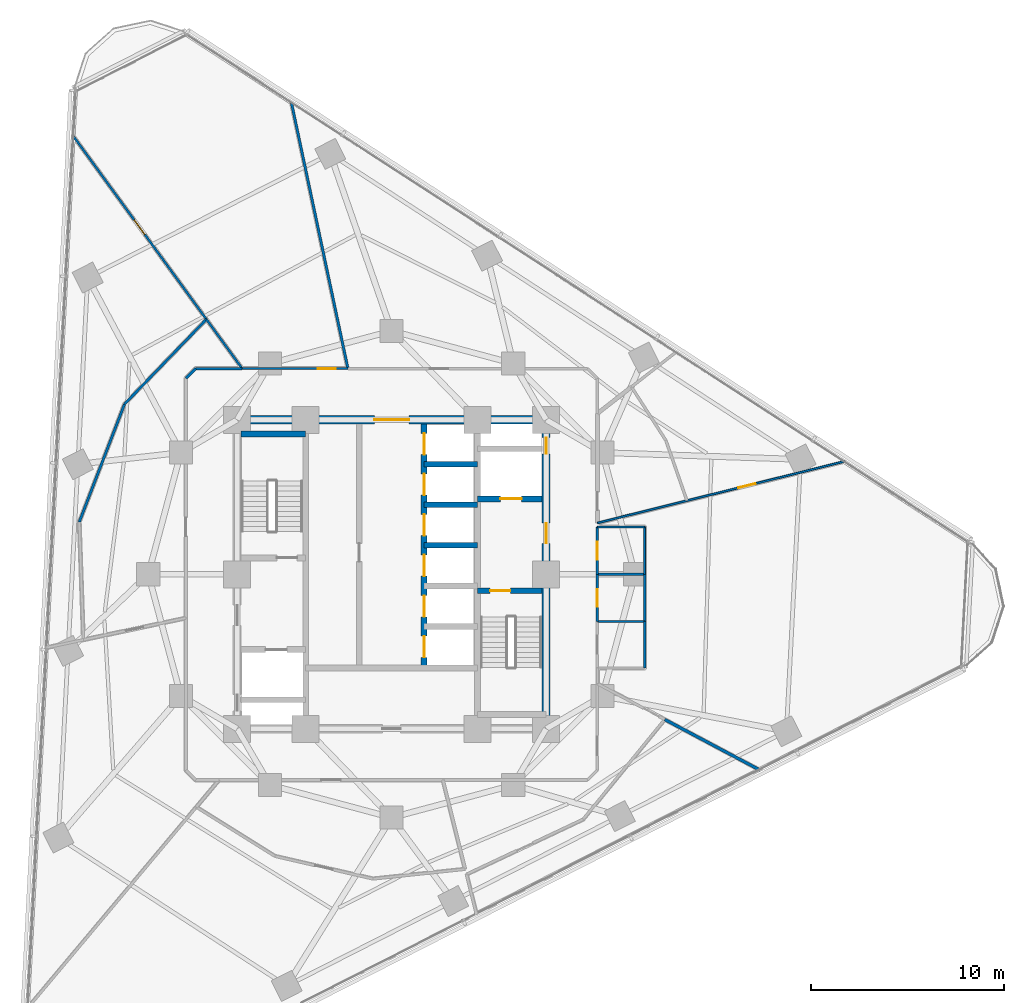
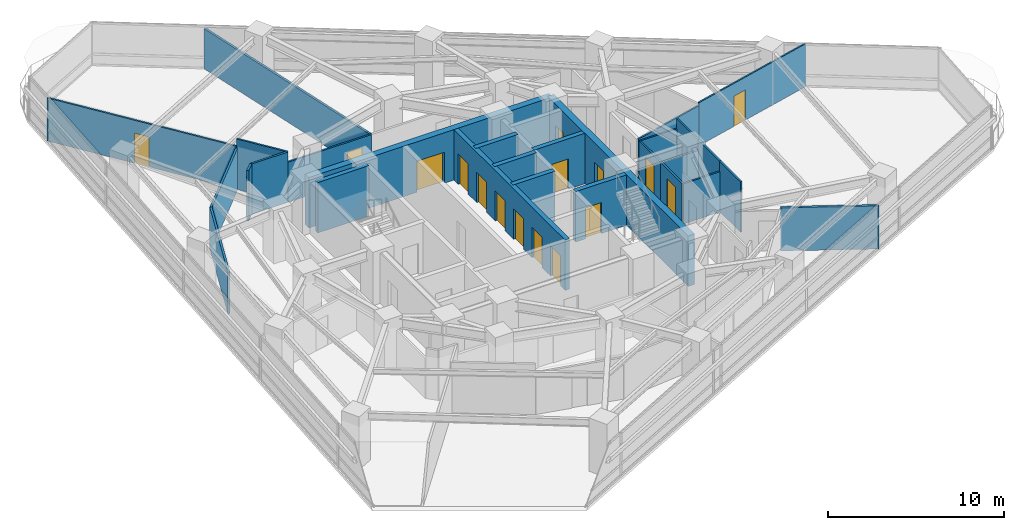
# One storey, part 9 of 14: 28 walls, 16 doors, 16 openings.
"""IFC4 building model written with IfcOpenShell, lengths in metres."""

from ifc_helpers import new_model, si_unit, direction, frame, frame_2d, origin, place, context, subcontext, project, spatial, rectangle, extrude, material, layer, layer_set, type_object, element, fill, save


model = new_model("IFC4")

# Units and contexts
model_context = context("Model", 3, precision=1e-05, world=origin(), true_north=direction((0.0, 1.0)))
body_context = subcontext(model_context, "Body", "Model", "MODEL_VIEW")
ifc_project = project(units=[si_unit("LENGTHUNIT", "METRE"), si_unit("AREAUNIT", "SQUARE_METRE"), si_unit("VOLUMEUNIT", "CUBIC_METRE"), si_unit("PLANEANGLEUNIT", "RADIAN"), si_unit("MASSUNIT", "GRAM", prefix="KILO")], contexts=[model_context])

# Site, building, storey
site_placement = place(None, origin())
site = spatial("IfcSite", under=ifc_project, at=site_placement, CompositionType="ELEMENT")
building_placement = place(site_placement, origin())
building = spatial("IfcBuilding", under=site, at=building_placement, Name="Terralouvre Media Tower", CompositionType="ELEMENT")
storey_placement = place(building_placement, frame((0.0, 0.0, 119.89990234375)))
storey = spatial("IfcBuildingStorey", under=building, at=storey_placement, Name="L30", CompositionType="ELEMENT", Elevation=119.89990234375)

# Wall
ifc_material_1 = material(Name="Concrete C50/60", Category="concrete")
ifc_layer_1 = layer(ifc_material_1, 0.300048828125, Name="Core Internal Shaft Wall CW-300")
ifc_layer_set_1 = layer_set([ifc_layer_1], Name="Concrete C50/60")
wall_type_1 = type_object("IfcWallType", Name="Core Internal Shaft Wall CW-300", PredefinedType="SHEAR", material=ifc_layer_set_1)
wall_1_placement = place(storey_placement, frame((-7.7900390625, 7.260009765625, 0.0), z_axis=(0.0, 0.0, 1.0), x_axis=(1.0, 0.0, 0.0)))
element("IfcWall", 1, at=wall_1_placement, inside=storey, type_object=wall_type_1, Name="L30 Core Shaft Wall ST1F", PredefinedType="SHEAR", context=body_context, shape_type="SweptSolid", body=[
    extrude(rectangle(XDim=3.340087890625, YDim=0.300048828125, at=frame_2d((1.669921875, 0.0))), origin(), (0.0, 0.0, 1.0), 3.5),
])

# Wall, opening, door
wall_2_placement = place(storey_placement, frame((4.449951171875, -0.85009765625, 0.0), z_axis=(0.0, 0.0, 1.0), x_axis=(1.0, 0.0, 0.0)))
wall_2 = element("IfcWall", 2, at=wall_2_placement, inside=storey, type_object=wall_type_1, Name="L30 Core Shaft Wall ST2D", PredefinedType="SHEAR", context=body_context, shape_type="SweptSolid", body=[
    extrude(rectangle(XDim=3.340087890625, YDim=0.300048828125, at=frame_2d((1.669921875, 0.0))), origin(), (0.0, 0.0, 1.0), 3.5),
])
opening_1_placement = place(wall_2_placement, frame((0.64990234375, 0.0, 0.0)))
opening_1 = element("IfcOpeningElement", 3, at=opening_1_placement, cuts=wall_2, Name="Opening FD-01-105X215", PredefinedType="OPENING", context=body_context, shape_type="SweptSolid", body=[
    extrude(rectangle(XDim=1.050048828125, YDim=2.14990234375, at=frame_2d((0.52490234375, 1.074951171875))), frame((0.0, 0.159912109375, 0.0), z_axis=(0.0, -1.0, 0.0), x_axis=(1.0, 0.0, 0.0)), (0.0, 0.0, 1.0), 0.320068359375),
])
ifc_material_2 = material(Name="Galvanised steel fire-resisting leaf", Category="steel")
door_type_1 = type_object("IfcDoorType", Name="Stair and Firefighting Lobby Fire Door FD-01 (1050x2150)", OperationType="NOTDEFINED", PredefinedType="DOOR", material=ifc_material_2)
door_1_placement = place(opening_1_placement, origin())
door_1 = element("IfcDoor", 4, at=door_1_placement, inside=storey, type_object=door_type_1, Name="L30 ST-02 Exit Stair Door", OperationType="SINGLE_SWING_RIGHT", OverallHeight=2.14990234375, OverallWidth=1.050048828125, PredefinedType="DOOR", context=body_context, shape_type="SweptSolid", body=[
    extrude(rectangle(XDim=1.050048828125, YDim=2.14990234375, at=frame_2d((0.52490234375, 1.074951171875))), frame((0.0, 0.02490234375, 0.0), z_axis=(0.0, -1.0, 0.0), x_axis=(1.0, 0.0, 0.0)), (0.0, 0.0, 1.0), 0.050048828125),
])
fill(opening_1, door_1)

wall_3_placement = place(storey_placement, frame((4.449951171875, 3.89990234375, 0.0), z_axis=(0.0, 0.0, 1.0), x_axis=(1.0, 0.0, 0.0)))
wall_3 = element("IfcWall", 5, at=wall_3_placement, inside=storey, type_object=wall_type_1, Name="L30 Core Shaft Wall FF2S", PredefinedType="SHEAR", context=body_context, shape_type="SweptSolid", body=[
    extrude(rectangle(XDim=3.340087890625, YDim=0.300048828125, at=frame_2d((1.669921875, 0.0))), origin(), (0.0, 0.0, 1.0), 3.5),
])
opening_2_placement = place(wall_3_placement, frame((1.179931640625, 0.0, 0.0)))
opening_2 = element("IfcOpeningElement", 6, at=opening_2_placement, cuts=wall_3, Name="Opening LD-FF", PredefinedType="OPENING", context=body_context, shape_type="SweptSolid", body=[
    extrude(rectangle(XDim=1.10009765625, YDim=2.10009765625, at=frame_2d((0.550048828125, 1.050048828125))), frame((0.0, 0.159912109375, 0.0), z_axis=(0.0, -1.0, 0.0), x_axis=(1.0, 0.0, 0.0)), (0.0, 0.0, 1.0), 0.320068359375),
])
ifc_material_3 = material(Name="Stainless steel 316 handrail and balustrade", Category="steel")
door_type_2 = type_object("IfcDoorType", Name="Firefighting Lift Sliding Landing Door LD-FF", OperationType="SLIDING_TO_LEFT", PredefinedType="DOOR", material=ifc_material_3)
door_2_placement = place(opening_2_placement, origin())
door_2 = element("IfcDoor", 7, at=door_2_placement, inside=storey, type_object=door_type_2, Name="L30 Firefighting Lift FFL-02 Landing Door", OperationType="SLIDING_TO_LEFT", OverallHeight=2.10009765625, OverallWidth=1.10009765625, PredefinedType="DOOR", context=body_context, shape_type="SweptSolid", body=[
    extrude(rectangle(XDim=1.10009765625, YDim=2.10009765625, at=frame_2d((0.550048828125, 1.050048828125))), frame((0.0, 0.02490234375, 0.0), z_axis=(0.0, -1.0, 0.0), x_axis=(1.0, 0.0, 0.0)), (0.0, 0.0, 1.0), 0.050048828125),
])
fill(opening_2, door_2)

# Wall, openings, doors
wall_4_placement = place(storey_placement, frame((1.679931640625, -4.85009765625, 0.0), z_axis=(0.0, 0.0, 1.0), x_axis=(0.0, 1.0, 0.0)))
wall_4 = element("IfcWall", 8, at=wall_4_placement, inside=storey, type_object=wall_type_1, Name="L30 Core Shaft Wall LBE", PredefinedType="SHEAR", context=body_context, shape_type="SweptSolid", body=[
    extrude(rectangle(XDim=12.64013671875, YDim=0.300048828125, at=frame_2d((6.320068359375, 0.0))), origin(), (0.0, 0.0, 1.0), 3.5),
])
opening_3_placement = place(wall_4_placement, frame((0.550048828125, 0.0, 0.0)))
opening_3 = element("IfcOpeningElement", 9, at=opening_3_placement, cuts=wall_4, Name="Opening LD-PL", PredefinedType="OPENING", context=body_context, shape_type="SweptSolid", body=[
    extrude(rectangle(XDim=1.10009765625, YDim=2.10009765625, at=frame_2d((0.550048828125, 1.050048828125))), frame((0.0, 0.159912109375, 0.0), z_axis=(0.0, -1.0, 0.0), x_axis=(1.0, 0.0, 0.0)), (0.0, 0.0, 1.0), 0.320068359375),
])
opening_4_placement = place(wall_4_placement, frame((2.64990234375, 0.0, 0.0)))
opening_4 = element("IfcOpeningElement", 10, at=opening_4_placement, cuts=wall_4, Name="Opening LD-PL", PredefinedType="OPENING", context=body_context, shape_type="SweptSolid", body=[
    extrude(rectangle(XDim=1.10009765625, YDim=2.10009765625, at=frame_2d((0.550048828125, 1.050048828125))), frame((0.0, 0.159912109375, 0.0), z_axis=(0.0, -1.0, 0.0), x_axis=(1.0, 0.0, 0.0)), (0.0, 0.0, 1.0), 0.320068359375),
])
opening_5_placement = place(wall_4_placement, frame((4.75, 0.0, 0.0)))
opening_5 = element("IfcOpeningElement", 11, at=opening_5_placement, cuts=wall_4, Name="Opening LD-PL", PredefinedType="OPENING", context=body_context, shape_type="SweptSolid", body=[
    extrude(rectangle(XDim=1.10009765625, YDim=2.10009765625, at=frame_2d((0.550048828125, 1.050048828125))), frame((0.0, 0.159912109375, 0.0), z_axis=(0.0, -1.0, 0.0), x_axis=(1.0, 0.0, 0.0)), (0.0, 0.0, 1.0), 0.320068359375),
])
opening_6_placement = place(wall_4_placement, frame((6.85009765625, 0.0, 0.0)))
opening_6 = element("IfcOpeningElement", 12, at=opening_6_placement, cuts=wall_4, Name="Opening LD-PL", PredefinedType="OPENING", context=body_context, shape_type="SweptSolid", body=[
    extrude(rectangle(XDim=1.10009765625, YDim=2.10009765625, at=frame_2d((0.550048828125, 1.050048828125))), frame((0.0, 0.159912109375, 0.0), z_axis=(0.0, -1.0, 0.0), x_axis=(1.0, 0.0, 0.0)), (0.0, 0.0, 1.0), 0.320068359375),
])
opening_7_placement = place(wall_4_placement, frame((8.949951171875, 0.0, 0.0)))
opening_7 = element("IfcOpeningElement", 13, at=opening_7_placement, cuts=wall_4, Name="Opening LD-PL", PredefinedType="OPENING", context=body_context, shape_type="SweptSolid", body=[
    extrude(rectangle(XDim=1.10009765625, YDim=2.10009765625, at=frame_2d((0.550048828125, 1.050048828125))), frame((0.0, 0.159912109375, 0.0), z_axis=(0.0, -1.0, 0.0), x_axis=(1.0, 0.0, 0.0)), (0.0, 0.0, 1.0), 0.320068359375),
])
opening_8_placement = place(wall_4_placement, frame((11.050048828125, 0.0, 0.0)))
opening_8 = element("IfcOpeningElement", 14, at=opening_8_placement, cuts=wall_4, Name="Opening LD-PL", PredefinedType="OPENING", context=body_context, shape_type="SweptSolid", body=[
    extrude(rectangle(XDim=1.10009765625, YDim=2.10009765625, at=frame_2d((0.550048828125, 1.050048828125))), frame((0.0, 0.159912109375, 0.0), z_axis=(0.0, -1.0, 0.0), x_axis=(1.0, 0.0, 0.0)), (0.0, 0.0, 1.0), 0.320068359375),
])
ifc_material_4 = material(Name="Stainless steel 316 handrail and balustrade", Category="steel")
door_type_3 = type_object("IfcDoorType", Name="Passenger Lift Sliding Landing Door LD-PL", OperationType="SLIDING_TO_LEFT", PredefinedType="DOOR", material=ifc_material_4)
door_3_placement = place(opening_3_placement, origin())
door_3 = element("IfcDoor", 15, at=door_3_placement, inside=storey, type_object=door_type_3, Name="L30 High-Rise Lift PL-H1 Landing Door", OperationType="SLIDING_TO_LEFT", OverallHeight=2.10009765625, OverallWidth=1.10009765625, PredefinedType="DOOR", context=body_context, shape_type="SweptSolid", body=[
    extrude(rectangle(XDim=1.10009765625, YDim=2.10009765625, at=frame_2d((0.550048828125, 1.050048828125))), frame((0.0, 0.02490234375, 0.0), z_axis=(0.0, -1.0, 0.0), x_axis=(1.0, 0.0, 0.0)), (0.0, 0.0, 1.0), 0.050048828125),
])
fill(opening_3, door_3)
door_4_placement = place(opening_4_placement, origin())
door_4 = element("IfcDoor", 16, at=door_4_placement, inside=storey, type_object=door_type_3, Name="L30 High-Rise Lift PL-H2 Landing Door", OperationType="SLIDING_TO_LEFT", OverallHeight=2.10009765625, OverallWidth=1.10009765625, PredefinedType="DOOR", context=body_context, shape_type="SweptSolid", body=[
    extrude(rectangle(XDim=1.10009765625, YDim=2.10009765625, at=frame_2d((0.550048828125, 1.050048828125))), frame((0.0, 0.02490234375, 0.0), z_axis=(0.0, -1.0, 0.0), x_axis=(1.0, 0.0, 0.0)), (0.0, 0.0, 1.0), 0.050048828125),
])
fill(opening_4, door_4)
door_5_placement = place(opening_5_placement, origin())
door_5 = element("IfcDoor", 17, at=door_5_placement, inside=storey, type_object=door_type_3, Name="L30 High-Rise Lift PL-H3 Landing Door", OperationType="SLIDING_TO_LEFT", OverallHeight=2.10009765625, OverallWidth=1.10009765625, PredefinedType="DOOR", context=body_context, shape_type="SweptSolid", body=[
    extrude(rectangle(XDim=1.10009765625, YDim=2.10009765625, at=frame_2d((0.550048828125, 1.050048828125))), frame((0.0, 0.02490234375, 0.0), z_axis=(0.0, -1.0, 0.0), x_axis=(1.0, 0.0, 0.0)), (0.0, 0.0, 1.0), 0.050048828125),
])
fill(opening_5, door_5)
door_6_placement = place(opening_6_placement, origin())
door_6 = element("IfcDoor", 18, at=door_6_placement, inside=storey, type_object=door_type_3, Name="L30 Mid-Rise Lift PL-M1 Landing Door", OperationType="SLIDING_TO_LEFT", OverallHeight=2.10009765625, OverallWidth=1.10009765625, PredefinedType="DOOR", context=body_context, shape_type="SweptSolid", body=[
    extrude(rectangle(XDim=1.10009765625, YDim=2.10009765625, at=frame_2d((0.550048828125, 1.050048828125))), frame((0.0, 0.02490234375, 0.0), z_axis=(0.0, -1.0, 0.0), x_axis=(1.0, 0.0, 0.0)), (0.0, 0.0, 1.0), 0.050048828125),
])
fill(opening_6, door_6)
door_7_placement = place(opening_7_placement, origin())
door_7 = element("IfcDoor", 19, at=door_7_placement, inside=storey, type_object=door_type_3, Name="L30 Mid-Rise Lift PL-M2 Landing Door", OperationType="SLIDING_TO_LEFT", OverallHeight=2.10009765625, OverallWidth=1.10009765625, PredefinedType="DOOR", context=body_context, shape_type="SweptSolid", body=[
    extrude(rectangle(XDim=1.10009765625, YDim=2.10009765625, at=frame_2d((0.550048828125, 1.050048828125))), frame((0.0, 0.02490234375, 0.0), z_axis=(0.0, -1.0, 0.0), x_axis=(1.0, 0.0, 0.0)), (0.0, 0.0, 1.0), 0.050048828125),
])
fill(opening_7, door_7)
door_8_placement = place(opening_8_placement, origin())
door_8 = element("IfcDoor", 20, at=door_8_placement, inside=storey, type_object=door_type_3, Name="L30 Mid-Rise Lift PL-M3 Landing Door", OperationType="SLIDING_TO_LEFT", OverallHeight=2.10009765625, OverallWidth=1.10009765625, PredefinedType="DOOR", context=body_context, shape_type="SweptSolid", body=[
    extrude(rectangle(XDim=1.10009765625, YDim=2.10009765625, at=frame_2d((0.550048828125, 1.050048828125))), frame((0.0, 0.02490234375, 0.0), z_axis=(0.0, -1.0, 0.0), x_axis=(1.0, 0.0, 0.0)), (0.0, 0.0, 1.0), 0.050048828125),
])
fill(opening_8, door_8)

# Walls
for number, where, z_axis, x_axis, name in (
    (21, (1.679931640625, 1.5, 0.0), (0.0, 0.0, 1.0), (1.0, 0.0, 0.0), "L30 Core Shaft Wall PLMD0"),
    (22, (1.679931640625, 3.60009765625, 0.0), (0.0, 0.0, 1.0), (1.0, 0.0, 0.0), "L30 Core Shaft Wall PLMD1"),
    (23, (1.679931640625, 5.699951171875, 0.0), (0.0, 0.0, 1.0), (1.0, 0.0, 0.0), "L30 Core Shaft Wall PLMD2"),
):
    element("IfcWall", number, at=place(storey_placement, frame(where, z_axis=z_axis, x_axis=x_axis)), inside=storey, type_object=wall_type_1, Name=name, PredefinedType="SHEAR", context=body_context, shape_type="SweptSolid", body=[
        extrude(rectangle(XDim=2.77001953125, YDim=0.300048828125, at=frame_2d((1.385009765625, 0.0))), origin(), (0.0, 0.0, 1.0), 3.5),
    ])

# Wall, openings, doors
ifc_material_5 = material(Name="Concrete C60/75", Category="concrete")
ifc_layer_2 = layer(ifc_material_5, 0.419921875, Name="Core Reinforced Concrete Shear Wall CW-420")
ifc_layer_set_2 = layer_set([ifc_layer_2], Name="Concrete C60/75")
wall_type_2 = type_object("IfcWallType", Name="Core Reinforced Concrete Shear Wall CW-420", PredefinedType="SHEAR", material=ifc_layer_set_2)
wall_5_placement = place(storey_placement, frame((8.0, -8.0, 0.0), z_axis=(0.0, 0.0, 1.0), x_axis=(0.0, 1.0, 0.0)))
wall_5 = element("IfcWall", 24, at=wall_5_placement, inside=storey, type_object=wall_type_2, Name="L30 E Core Shear Wall", PredefinedType="SHEAR", context=body_context, shape_type="SweptSolid", body=[
    extrude(rectangle(XDim=16.0, YDim=0.419921875, at=frame_2d((8.0, 0.0))), origin(), (0.0, 0.0, 1.0), 3.5),
])
opening_9_placement = place(wall_5_placement, frame((9.60009765625, 0.0, 0.0)))
opening_9 = element("IfcOpeningElement", 25, at=opening_9_placement, cuts=wall_5, Name="Opening FD-01-105X215", PredefinedType="OPENING", context=body_context, shape_type="SweptSolid", body=[
    extrude(rectangle(XDim=1.050048828125, YDim=2.14990234375, at=frame_2d((0.52490234375, 1.074951171875))), frame((0.0, 0.219970703125, 0.0), z_axis=(0.0, -1.0, 0.0), x_axis=(1.0, 0.0, 0.0)), (0.0, 0.0, 1.0), 0.43994140625),
])
opening_10_placement = place(wall_5_placement, frame((14.228515625, 0.0, 0.0)))
opening_10 = element("IfcOpeningElement", 26, at=opening_10_placement, cuts=wall_5, Name="Opening TD-R1", PredefinedType="OPENING", context=body_context, shape_type="SweptSolid", body=[
    extrude(rectangle(XDim=0.85009765625, YDim=2.02001953125, at=frame_2d((0.425048828125, 1.010009765625))), frame((0.0, 0.219970703125, 0.0), z_axis=(0.0, -1.0, 0.0), x_axis=(1.0, 0.0, 0.0)), (0.0, 0.0, 1.0), 0.43994140625),
])
ifc_material_6 = material(Name="Galvanised steel fire-resisting leaf", Category="steel")
door_type_4 = type_object("IfcDoorType", Name="Riser Inspection Access Trapdoor TD-R1", OperationType="NOTDEFINED", PredefinedType="TRAPDOOR", material=ifc_material_6)
door_9_placement = place(opening_10_placement, origin())
door_9 = element("IfcDoor", 27, at=door_9_placement, inside=storey, type_object=door_type_4, Name="L30 East Comms Riser Access Trapdoor", OperationType="SINGLE_SWING_RIGHT", OverallHeight=2.02001953125, OverallWidth=0.85009765625, PredefinedType="TRAPDOOR", context=body_context, shape_type="SweptSolid", body=[
    extrude(rectangle(XDim=0.85009765625, YDim=2.02001953125, at=frame_2d((0.425048828125, 1.010009765625))), frame((0.0, 0.02490234375, 0.0), z_axis=(0.0, -1.0, 0.0), x_axis=(1.0, 0.0, 0.0)), (0.0, 0.0, 1.0), 0.050048828125),
])
fill(opening_10, door_9)
door_10_placement = place(opening_9_placement, origin())
door_10 = element("IfcDoor", 28, at=door_10_placement, inside=storey, type_object=door_type_1, Name="L30 East Firefighting Lobby Entry Door", OperationType="SINGLE_SWING_LEFT", OverallHeight=2.14990234375, OverallWidth=1.050048828125, PredefinedType="DOOR", context=body_context, shape_type="SweptSolid", body=[
    extrude(rectangle(XDim=1.050048828125, YDim=2.14990234375, at=frame_2d((0.52490234375, 1.074951171875))), frame((0.0, 0.02490234375, 0.0), z_axis=(0.0, -1.0, 0.0), x_axis=(1.0, 0.0, 0.0)), (0.0, 0.0, 1.0), 0.050048828125),
])
fill(opening_9, door_10)

# Wall, opening, door
wall_6_placement = place(storey_placement, frame((-8.0, 8.0, 0.0), z_axis=(0.0, 0.0, 1.0), x_axis=(1.0, 0.0, 0.0)))
wall_6 = element("IfcWall", 29, at=wall_6_placement, inside=storey, type_object=wall_type_2, Name="L30 N Core Shear Wall", PredefinedType="SHEAR", context=body_context, shape_type="SweptSolid", body=[
    extrude(rectangle(XDim=16.0, YDim=0.419921875, at=frame_2d((8.0, 0.0))), origin(), (0.0, 0.0, 1.0), 3.5),
])
opening_11_placement = place(wall_6_placement, frame((7.10009765625, 0.0, 0.0)))
opening_11 = element("IfcOpeningElement", 30, at=opening_11_placement, cuts=wall_6, Name="Opening FD-03", PredefinedType="OPENING", context=body_context, shape_type="SweptSolid", body=[
    extrude(rectangle(XDim=1.800048828125, YDim=2.14990234375, at=frame_2d((0.89990234375, 1.074951171875))), frame((0.0, 0.219970703125, 0.0), z_axis=(0.0, -1.0, 0.0), x_axis=(1.0, 0.0, 0.0)), (0.0, 0.0, 1.0), 0.43994140625),
])
ifc_material_7 = material(Name="Galvanised steel fire-resisting leaf", Category="steel")
door_type_5 = type_object("IfcDoorType", Name="Corridor Smoke-Control Double Door FD-03", OperationType="DOUBLE_DOOR_SINGLE_SWING", PredefinedType="DOOR", material=ifc_material_7)
door_11_placement = place(opening_11_placement, origin())
door_11 = element("IfcDoor", 31, at=door_11_placement, inside=storey, type_object=door_type_5, Name="L30 Central Lift Lobby Portal Door", OperationType="DOUBLE_DOOR_SINGLE_SWING", OverallHeight=2.14990234375, OverallWidth=1.800048828125, PredefinedType="DOOR", context=body_context, shape_type="SweptSolid", body=[
    extrude(rectangle(XDim=1.800048828125, YDim=2.14990234375, at=frame_2d((0.89990234375, 1.074951171875))), frame((0.0, 0.02490234375, 0.0), z_axis=(0.0, -1.0, 0.0), x_axis=(1.0, 0.0, 0.0)), (0.0, 0.0, 1.0), 0.050048828125),
])
fill(opening_11, door_11)

# Walls
ifc_material_8 = material(Name="Low-iron laminated double glazing with solar-control coating", Category="glass")
ifc_layer_3 = layer(ifc_material_8, 0.10009765625, Name="Demountable Glazed Office Partition PT-GL100")
ifc_layer_set_3 = layer_set([ifc_layer_3], Name="Low-iron laminated double glazing with solar-control coating")
wall_type_3 = type_object("IfcWallType", Name="Demountable Glazed Office Partition PT-GL100", PredefinedType="MOVABLE", material=ifc_layer_set_3)
wall_7_placement = place(storey_placement, frame((10.64990234375, 2.449951171875, 0.0), z_axis=(0.0, 0.0, 1.0), x_axis=(1.0, 0.0, 0.0)))
element("IfcWall", 32, at=wall_7_placement, inside=storey, type_object=wall_type_3, Name="L30 Interior Partition 038", PredefinedType="MOVABLE", context=body_context, shape_type="SweptSolid", body=[
    extrude(rectangle(XDim=2.4501953125, YDim=0.10009765625, at=frame_2d((1.22509765625, 0.0))), origin(), (0.0, 0.0, 1.0), 2.78515625),
])
wall_8_placement = place(storey_placement, frame((13.10009765625, 2.449951171875, 0.0), z_axis=(0.0, 0.0, 1.0), x_axis=(0.0, -1.0, 0.0)))
element("IfcWall", 33, at=wall_8_placement, inside=storey, type_object=wall_type_3, Name="L30 Interior Partition 039", PredefinedType="MOVABLE", context=body_context, shape_type="SweptSolid", body=[
    extrude(rectangle(XDim=2.449951171875, YDim=0.10009765625, at=frame_2d((1.22509765625, 0.0))), origin(), (0.0, 0.0, 1.0), 3.5),
])

# Wall, opening, door
wall_9_placement = place(storey_placement, frame((23.471923828125, 5.852294921875, 0.0), z_axis=(0.0, 0.0, 1.0), x_axis=(-0.970293868859, -0.24192934517, 0.0)))
wall_9 = element("IfcWall", 34, at=wall_9_placement, inside=storey, type_object=wall_type_3, Name="L30 Interior Partition 040", PredefinedType="MOVABLE", context=body_context, shape_type="SweptSolid", body=[
    extrude(rectangle(XDim=8.433349609375, YDim=0.10009765625, at=frame_2d((4.216796875, 0.0))), origin(), (0.0, 0.0, 1.0), 2.985107421875),
])
opening_12_placement = place(wall_9_placement, frame((4.768798828125, 0.0, 0.0)))
opening_12 = element("IfcOpeningElement", 35, at=opening_12_placement, cuts=wall_9, Name="Opening ID-03-92X210", PredefinedType="OPENING", context=body_context, shape_type="SweptSolid", body=[
    extrude(rectangle(XDim=0.919921875, YDim=2.10009765625, at=frame_2d((0.4599609375, 1.050048828125))), frame((0.0, 0.06005859375, 0.0), z_axis=(0.0, -1.0, 0.0), x_axis=(1.0, 0.0, 0.0)), (0.0, 0.0, 1.0), 0.1201171875),
])
ifc_material_9 = material(Name="Engineered hardwood acoustic timber leaf", Category="wood")
door_type_6 = type_object("IfcDoorType", Name="Accessible Restroom and Suite Door ID-03 (920x2100)", OperationType="NOTDEFINED", PredefinedType="DOOR", material=ifc_material_9)
door_12_placement = place(opening_12_placement, origin())
door_12 = element("IfcDoor", 36, at=door_12_placement, inside=storey, type_object=door_type_6, Name="L30 Presenter Makeup and Wardrobe Closet 7 Door", OperationType="SINGLE_SWING_RIGHT", OverallHeight=2.10009765625, OverallWidth=0.919921875, PredefinedType="DOOR", context=body_context, shape_type="SweptSolid", body=[
    extrude(rectangle(XDim=0.919921875, YDim=2.10009765625, at=frame_2d((0.4599609375, 1.050048828125))), frame((0.0, 0.02490234375, 0.0), z_axis=(0.0, -1.0, 0.0), x_axis=(1.0, 0.0, 0.0)), (0.0, 0.0, 1.0), 0.050048828125),
])
fill(opening_12, door_12)

# Walls
wall_10_placement = place(storey_placement, frame((15.2890625, 3.81201171875, 0.0), z_axis=(0.0, 0.0, 1.0), x_axis=(-0.970280510542, -0.241982914402, 0.0)))
element("IfcWall", 37, at=wall_10_placement, inside=storey, type_object=wall_type_3, Name="L30 Interior Partition 041", PredefinedType="MOVABLE", context=body_context, shape_type="SweptSolid", body=[
    extrude(rectangle(XDim=4.78125, YDim=0.10009765625, at=frame_2d((2.390625, 0.0))), origin(), (0.0, 0.0, 1.0), 2.78515625),
])
ifc_material_10 = material(Name="Fire-rated gypsum board drywall partition")
ifc_layer_4 = layer(ifc_material_10, 0.135009765625, Name="Newsroom Acoustic Partition PT-135")
ifc_layer_set_4 = layer_set([ifc_layer_4], Name="Fire-rated gypsum board drywall partition")
wall_type_4 = type_object("IfcWallType", Name="Newsroom Acoustic Partition PT-135", PredefinedType="PARTITIONING", material=ifc_layer_set_4)
wall_11_placement = place(storey_placement, frame((-7.738037109375, 10.64990234375, 0.0), z_axis=(0.0, 0.0, 1.0), x_axis=(-1.0, 0.0, 0.0)))
element("IfcWall", 38, at=wall_11_placement, inside=storey, type_object=wall_type_4, Name="L30 Interior Partition 017", PredefinedType="PARTITIONING", context=body_context, shape_type="SweptSolid", body=[
    extrude(rectangle(XDim=2.411865234375, YDim=0.135009765625, at=frame_2d((1.2060546875, 0.0))), origin(), (0.0, 0.0, 1.0), 3.5),
])
wall_12_placement = place(storey_placement, frame((-10.14990234375, 10.64990234375, 0.0), z_axis=(0.0, 0.0, 1.0), x_axis=(-0.707106781187, -0.707106781187, 0.0)))
element("IfcWall", 39, at=wall_12_placement, inside=storey, type_object=wall_type_4, Name="L30 Interior Partition 018", PredefinedType="PARTITIONING", context=body_context, shape_type="SweptSolid", body=[
    extrude(rectangle(XDim=0.70703125, YDim=0.135009765625, at=frame_2d((0.353515625, 0.0))), origin(), (0.0, 0.0, 1.0), 3.5),
])
wall_13_placement = place(storey_placement, frame((-5.20166015625, 24.47314453125, 0.0), z_axis=(0.0, 0.0, 1.0), x_axis=(0.207879417489, -0.978154460085, 0.0)))
element("IfcWall", 40, at=wall_13_placement, inside=storey, type_object=wall_type_4, Name="L30 Interior Partition 046", PredefinedType="PARTITIONING", context=body_context, shape_type="SweptSolid", body=[
    extrude(rectangle(XDim=14.132080078125, YDim=0.135009765625, at=frame_2d((7.06591796875, 0.0))), origin(), (0.0, 0.0, 1.0), 2.78515625),
])
wall_14_placement = place(storey_placement, frame((-16.175048828125, 2.70703125, 0.0), z_axis=(0.0, 0.0, 1.0), x_axis=(0.358305989998, 0.93360420818, 0.0)))
element("IfcWall", 41, at=wall_14_placement, inside=storey, type_object=wall_type_4, Name="L30 Interior Partition 050", PredefinedType="PARTITIONING", context=body_context, shape_type="SweptSolid", body=[
    extrude(rectangle(XDim=6.5390625, YDim=0.135009765625, at=frame_2d((3.26953125, 0.0))), origin(), (0.0, 0.0, 1.0), 2.885009765625),
])
wall_15_placement = place(storey_placement, frame((-13.83203125, 8.81201171875, 0.0), z_axis=(0.0, 0.0, 1.0), x_axis=(0.694719433394, 0.719280827538, 0.0)))
element("IfcWall", 42, at=wall_15_placement, inside=storey, type_object=wall_type_4, Name="L30 Interior Partition 051", PredefinedType="PARTITIONING", context=body_context, shape_type="SweptSolid", body=[
    extrude(rectangle(XDim=6.103271484375, YDim=0.135009765625, at=frame_2d((3.0517578125, 0.0))), origin(), (0.0, 0.0, 1.0), 2.885009765625),
])

# Wall, opening, door
ifc_material_11 = material(Name="Fire-rated gypsum board drywall partition")
ifc_layer_5 = layer(ifc_material_11, 0.114990234375, Name="Restroom and Pantry Partition PT-115")
ifc_layer_set_5 = layer_set([ifc_layer_5], Name="Fire-rated gypsum board drywall partition")
wall_type_5 = type_object("IfcWallType", Name="Restroom and Pantry Partition PT-115", PredefinedType="PARTITIONING", material=ifc_layer_set_5)
wall_16_placement = place(storey_placement, frame((10.64990234375, -2.449951171875, 0.0), z_axis=(0.0, 0.0, 1.0), x_axis=(0.0, 1.0, 0.0)))
wall_16 = element("IfcWall", 43, at=wall_16_placement, inside=storey, type_object=wall_type_5, Name="L30 Interior Partition 009", PredefinedType="PARTITIONING", context=body_context, shape_type="SweptSolid", body=[
    extrude(rectangle(XDim=2.449951171875, YDim=0.114990234375, at=frame_2d((1.22509765625, 0.0))), origin(), (0.0, 0.0, 1.0), 2.78515625),
])
opening_13_placement = place(wall_16_placement, frame((0.764892578125, 0.0, 0.0)))
opening_13 = element("IfcOpeningElement", 44, at=opening_13_placement, cuts=wall_16, Name="Opening ID-03-92X210", PredefinedType="OPENING", context=body_context, shape_type="SweptSolid", body=[
    extrude(rectangle(XDim=0.919921875, YDim=2.10009765625, at=frame_2d((0.4599609375, 1.050048828125))), frame((0.0, 0.0673828125, 0.0), z_axis=(0.0, -1.0, 0.0), x_axis=(1.0, 0.0, 0.0)), (0.0, 0.0, 1.0), 0.135009765625),
])
door_13_placement = place(opening_13_placement, origin())
door_13 = element("IfcDoor", 45, at=door_13_placement, inside=storey, type_object=door_type_6, Name="L30 Female Restroom WC Door", OperationType="SINGLE_SWING_LEFT", OverallHeight=2.10009765625, OverallWidth=0.919921875, PredefinedType="DOOR", context=body_context, shape_type="SweptSolid", body=[
    extrude(rectangle(XDim=0.919921875, YDim=2.10009765625, at=frame_2d((0.4599609375, 1.050048828125))), frame((0.0, 0.02490234375, 0.0), z_axis=(0.0, -1.0, 0.0), x_axis=(1.0, 0.0, 0.0)), (0.0, 0.0, 1.0), 0.050048828125),
])
fill(opening_13, door_13)

wall_17_placement = place(storey_placement, frame((10.64990234375, 0.0, 0.0), z_axis=(0.0, 0.0, 1.0), x_axis=(0.0, 1.0, 0.0)))
wall_17 = element("IfcWall", 46, at=wall_17_placement, inside=storey, type_object=wall_type_5, Name="L30 Interior Partition 011", PredefinedType="PARTITIONING", context=body_context, shape_type="SweptSolid", body=[
    extrude(rectangle(XDim=2.449951171875, YDim=0.114990234375, at=frame_2d((1.22509765625, 0.0))), origin(), (0.0, 0.0, 1.0), 2.78515625),
])
opening_14_placement = place(wall_17_placement, frame((0.764892578125, 0.0, 0.0)))
opening_14 = element("IfcOpeningElement", 47, at=opening_14_placement, cuts=wall_17, Name="Opening ID-03-92X210", PredefinedType="OPENING", context=body_context, shape_type="SweptSolid", body=[
    extrude(rectangle(XDim=0.919921875, YDim=2.10009765625, at=frame_2d((0.4599609375, 1.050048828125))), frame((0.0, 0.0673828125, 0.0), z_axis=(0.0, -1.0, 0.0), x_axis=(1.0, 0.0, 0.0)), (0.0, 0.0, 1.0), 0.135009765625),
])
door_14_placement = place(opening_14_placement, origin())
door_14 = element("IfcDoor", 48, at=door_14_placement, inside=storey, type_object=door_type_6, Name="L30 Accessible Unisex WC Door", OperationType="SINGLE_SWING_RIGHT", OverallHeight=2.10009765625, OverallWidth=0.919921875, PredefinedType="DOOR", context=body_context, shape_type="SweptSolid", body=[
    extrude(rectangle(XDim=0.919921875, YDim=2.10009765625, at=frame_2d((0.4599609375, 1.050048828125))), frame((0.0, 0.02490234375, 0.0), z_axis=(0.0, -1.0, 0.0), x_axis=(1.0, 0.0, 0.0)), (0.0, 0.0, 1.0), 0.050048828125),
])
fill(opening_14, door_14)

wall_18_placement = place(storey_placement, frame((-2.263916015625, 10.64990234375, 0.0), z_axis=(0.0, 0.0, 1.0), x_axis=(-1.0, 0.0, 0.0)))
wall_18 = element("IfcWall", 49, at=wall_18_placement, inside=storey, type_object=wall_type_5, Name="L30 Interior Partition 016", PredefinedType="PARTITIONING", context=body_context, shape_type="SweptSolid", body=[
    extrude(rectangle(XDim=5.47412109375, YDim=0.114990234375, at=frame_2d((2.737060546875, 0.0))), origin(), (0.0, 0.0, 1.0), 2.78515625),
])
opening_15_placement = place(wall_18_placement, frame((0.619873046875, 0.0, 0.0)))
opening_15 = element("IfcOpeningElement", 50, at=opening_15_placement, cuts=wall_18, Name="Opening SD-01-95X210", PredefinedType="OPENING", context=body_context, shape_type="SweptSolid", body=[
    extrude(rectangle(XDim=0.949951171875, YDim=2.10009765625, at=frame_2d((0.47509765625, 1.050048828125))), frame((0.0, 0.0673828125, 0.0), z_axis=(0.0, -1.0, 0.0), x_axis=(1.0, 0.0, 0.0)), (0.0, 0.0, 1.0), 0.135009765625),
])
ifc_material_12 = material(Name="Anodised extruded aluminium 6063-T6", Category="aluminium")
door_type_7 = type_object("IfcDoorType", Name="Pantry Pocket Sliding Door SD-01 (950x2100)", OperationType="SLIDING_TO_LEFT", PredefinedType="DOOR", material=ifc_material_12)
door_15_placement = place(opening_15_placement, origin())
door_15 = element("IfcDoor", 51, at=door_15_placement, inside=storey, type_object=door_type_7, Name="L30 Match-Day Catering Pantry 10 Door", OperationType="SLIDING_TO_LEFT", OverallHeight=2.10009765625, OverallWidth=0.949951171875, PredefinedType="DOOR", context=body_context, shape_type="SweptSolid", body=[
    extrude(rectangle(XDim=0.949951171875, YDim=2.10009765625, at=frame_2d((0.47509765625, 1.050048828125))), frame((0.0, 0.02490234375, 0.0), z_axis=(0.0, -1.0, 0.0), x_axis=(1.0, 0.0, 0.0)), (0.0, 0.0, 1.0), 0.050048828125),
])
fill(opening_15, door_15)

# Walls
wall_19_placement = place(storey_placement, frame((13.10009765625, -2.449951171875, 0.0), z_axis=(0.0, 0.0, 1.0), x_axis=(-1.0, 0.0, 0.0)))
element("IfcWall", 52, at=wall_19_placement, inside=storey, type_object=wall_type_5, Name="L30 Interior Partition 033", PredefinedType="PARTITIONING", context=body_context, shape_type="SweptSolid", body=[
    extrude(rectangle(XDim=2.4501953125, YDim=0.114990234375, at=frame_2d((1.22509765625, 0.0))), origin(), (0.0, 0.0, 1.0), 2.78515625),
])
wall_20_placement = place(storey_placement, frame((13.10009765625, -4.85009765625, 0.0), z_axis=(0.0, 0.0, 1.0), x_axis=(0.0, 1.0, 0.0)))
element("IfcWall", 53, at=wall_20_placement, inside=storey, type_object=wall_type_5, Name="L30 Interior Partition 035", PredefinedType="PARTITIONING", context=body_context, shape_type="SweptSolid", body=[
    extrude(rectangle(XDim=2.400146484375, YDim=0.114990234375, at=frame_2d((1.2001953125, 0.0))), origin(), (0.0, 0.0, 1.0), 3.5),
])
wall_21_placement = place(storey_placement, frame((13.10009765625, -2.449951171875, 0.0), z_axis=(0.0, 0.0, 1.0), x_axis=(0.0, 1.0, 0.0)))
element("IfcWall", 54, at=wall_21_placement, inside=storey, type_object=wall_type_5, Name="L30 Interior Partition 036", PredefinedType="PARTITIONING", context=body_context, shape_type="SweptSolid", body=[
    extrude(rectangle(XDim=2.449951171875, YDim=0.114990234375, at=frame_2d((1.22509765625, 0.0))), origin(), (0.0, 0.0, 1.0), 3.5),
])
wall_22_placement = place(storey_placement, frame((13.10009765625, 0.0, 0.0), z_axis=(0.0, 0.0, 1.0), x_axis=(-1.0, 0.0, 0.0)))
element("IfcWall", 55, at=wall_22_placement, inside=storey, type_object=wall_type_5, Name="L30 Interior Partition 037", PredefinedType="PARTITIONING", context=body_context, shape_type="SweptSolid", body=[
    extrude(rectangle(XDim=2.4501953125, YDim=0.114990234375, at=frame_2d((1.22509765625, 0.0))), origin(), (0.0, 0.0, 1.0), 2.78515625),
])

# Wall, opening, door
wall_23_placement = place(storey_placement, frame((-16.524169921875, 22.7431640625, 0.0), z_axis=(0.0, 0.0, 1.0), x_axis=(0.587785136625, -0.809017078412, 0.0)))
wall_23 = element("IfcWall", 56, at=wall_23_placement, inside=storey, type_object=wall_type_5, Name="L30 Interior Partition 047", PredefinedType="PARTITIONING", context=body_context, shape_type="SweptSolid", body=[
    extrude(rectangle(XDim=11.793701171875, YDim=0.114990234375, at=frame_2d((5.89697265625, 0.0))), origin(), (0.0, 0.0, 1.0), 2.985107421875),
])
opening_16_placement = place(wall_23_placement, frame((5.436767578125, 0.0, 0.0)))
opening_16 = element("IfcOpeningElement", 57, at=opening_16_placement, cuts=wall_23, Name="Opening ID-03-92X210", PredefinedType="OPENING", context=body_context, shape_type="SweptSolid", body=[
    extrude(rectangle(XDim=0.919921875, YDim=2.10009765625, at=frame_2d((0.4599609375, 1.050048828125))), frame((0.0, 0.0673828125, 0.0), z_axis=(0.0, -1.0, 0.0), x_axis=(1.0, 0.0, 0.0)), (0.0, 0.0, 1.0), 0.135009765625),
])
door_16_placement = place(opening_16_placement, origin())
door_16 = element("IfcDoor", 58, at=door_16_placement, inside=storey, type_object=door_type_6, Name="L30 League Statistics Library 11 Door", OperationType="SINGLE_SWING_LEFT", OverallHeight=2.10009765625, OverallWidth=0.919921875, PredefinedType="DOOR", context=body_context, shape_type="SweptSolid", body=[
    extrude(rectangle(XDim=0.919921875, YDim=2.10009765625, at=frame_2d((0.4599609375, 1.050048828125))), frame((0.0, 0.02490234375, 0.0), z_axis=(0.0, -1.0, 0.0), x_axis=(1.0, 0.0, 0.0)), (0.0, 0.0, 1.0), 0.050048828125),
])
fill(opening_16, door_16)

# Walls
wall_24_placement = place(storey_placement, frame((-9.592041015625, 13.201904296875, 0.0), z_axis=(0.0, 0.0, 1.0), x_axis=(0.587757438745, -0.80903720137, 0.0)))
element("IfcWall", 59, at=wall_24_placement, inside=storey, type_object=wall_type_5, Name="L30 Interior Partition 048", PredefinedType="PARTITIONING", context=body_context, shape_type="SweptSolid", body=[
    extrude(rectangle(XDim=3.154296875, YDim=0.114990234375, at=frame_2d((1.5771484375, 0.0))), origin(), (0.0, 0.0, 1.0), 3.5),
])
ifc_material_13 = material(Name="Fire-rated gypsum board drywall partition")
ifc_layer_6 = layer(ifc_material_13, 0.159912109375, Name="Studio Acoustic Rated Partition PT-160")
ifc_layer_set_6 = layer_set([ifc_layer_6], Name="Fire-rated gypsum board drywall partition")
wall_type_6 = type_object("IfcWallType", Name="Studio Acoustic Rated Partition PT-160", PredefinedType="PARTITIONING", material=ifc_layer_set_6)
wall_25_placement = place(storey_placement, frame((19.069580078125, -10.1396484375, 0.0), z_axis=(0.0, 0.0, 1.0), x_axis=(-0.882959500857, 0.469449166413, 0.0)))
element("IfcWall", 60, at=wall_25_placement, inside=storey, type_object=wall_type_6, Name="L30 Interior Partition 032", PredefinedType="PARTITIONING", context=body_context, shape_type="SweptSolid", body=[
    extrude(rectangle(XDim=5.58642578125, YDim=0.159912109375, at=frame_2d((2.793212890625, 0.0))), origin(), (0.0, 0.0, 1.0), 2.985107421875),
])

save(model, "model.ifc")
